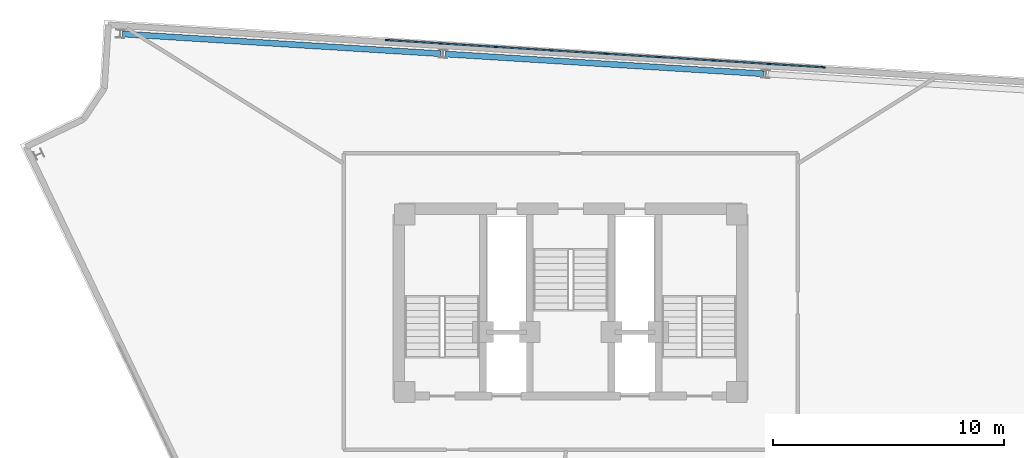
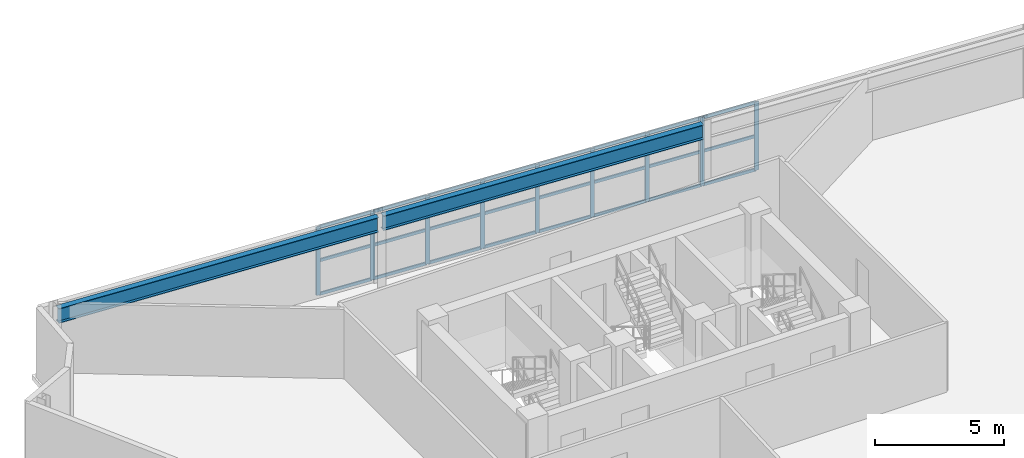
# One storey, part 5 of 8: 33 members, 2 beams, 1 element without a shape of its own.
"""IFC4 building model written with IfcOpenShell, lengths in metres."""

from ifc_helpers import new_model, si_unit, direction, frame, origin, origin_2d, place, context, subcontext, project, spatial, rectangle, i_section, extrude, material, layer, layer_set, material_profile, profile_set, type_object, element, aggregate, save


model = new_model("IFC4")

# Units and contexts
model_context = context("Model", 3, precision=1e-05, world=origin(), true_north=direction((0.0, 1.0)))
body_context = subcontext(model_context, "Body", "Model", "MODEL_VIEW")
ifc_project = project(units=[si_unit("LENGTHUNIT", "METRE"), si_unit("AREAUNIT", "SQUARE_METRE"), si_unit("VOLUMEUNIT", "CUBIC_METRE"), si_unit("PLANEANGLEUNIT", "RADIAN"), si_unit("MASSUNIT", "GRAM", prefix="KILO")], contexts=[model_context])

# Site, building, storey
site_placement = place(None, origin())
site = spatial("IfcSite", under=ifc_project, at=site_placement, CompositionType="ELEMENT")
building_placement = place(site_placement, origin())
building = spatial("IfcBuilding", under=site, at=building_placement, Name="Apsidion Concourse Tower", CompositionType="ELEMENT")
storey_placement = place(building_placement, frame((0.0, 0.0, 336.0)))
storey = spatial("IfcBuildingStorey", under=building, at=storey_placement, Name="L79", CompositionType="ELEMENT", Elevation=336.0)

# Beams
ifc_material_1 = material(Name="Structural steel ASTM A992 Grade 50", Category="steel")
ifc_material_profile_1 = material_profile(ifc_material_1, i_section(OverallWidth=0.256103515625, OverallDepth=0.693115234375, WebThickness=0.014404296875, FlangeThickness=0.023681640625, at=origin_2d()), Name="W27X114")
ifc_profile_set_1 = profile_set([ifc_material_profile_1], Name="Structural steel ASTM A992 Grade 50")
beam_type = type_object("IfcBeamType", Name="BM-SP-W27", PredefinedType="SPANDREL", material=ifc_profile_set_1)
for number, where, z_axis, x_axis, name in (
    (1, (8.36962890625, 15.254638671875, 2.93359375), (-0.998076537228, 0.061993756414, 0.0), (-0.061993756414, -0.998076537228, 0.0), "L79 Crown Perimeter Spandrel Beam CSP-04"),
    (2, (-5.637939453125, 16.12451171875, 2.93359375), (-0.998076537228, 0.061993756414, 0.0), (-0.061993756414, -0.998076537228, 0.0), "L79 Crown Perimeter Spandrel Beam CSP-05"),
):
    element("IfcBeam", number, at=place(storey_placement, frame(where, z_axis=z_axis, x_axis=x_axis)), inside=storey, type_object=beam_type, Name=name, PredefinedType="SPANDREL", context=body_context, shape_type="SweptSolid", body=[
        extrude(i_section(OverallWidth=0.256103515625, OverallDepth=0.693115234375, WebThickness=0.014404296875, FlangeThickness=0.023681640625, at=origin_2d()), origin(), (0.0, 0.0, 1.0), 13.834716796875),
    ])

# Curtain wall, members
ifc_material_2 = material(Name="Insulated laminated low-E glass", Category="glass")
ifc_layer = layer(ifc_material_2, 0.239990234375)
ifc_layer_set = layer_set([ifc_layer], Name="Insulated laminated low-E glass")
curtain_wall_type = type_object("IfcCurtainWallType", Name="CW-SYS-06", PredefinedType="NOTDEFINED", material=ifc_layer_set)
curtain_wall_placement = place(storey_placement, origin())
curtain_wall = element("IfcCurtainWall", 3, at=curtain_wall_placement, inside=storey, type_object=curtain_wall_type, Name="L79 Slanted Crown Curtain Wall 4", PredefinedType="NOTDEFINED")
ifc_material_3 = material(Name="Anodised aluminium EN AW-6063 T6", Category="aluminium")
ifc_material_profile_2 = material_profile(ifc_material_3, rectangle(XDim=0.06494140625, YDim=0.179931640625, at=origin_2d()), Name="ALU MULLION 65x180")
ifc_profile_set_2 = profile_set([ifc_material_profile_2], Name="Anodised aluminium EN AW-6063 T6")
member_type_1 = type_object("IfcMemberType", Name="CWM-65X180", PredefinedType="MULLION", material=ifc_profile_set_2)
member_1_placement = place(storey_placement, frame((-7.951171875, 16.716552734375, 0.0), z_axis=(0.0, 0.0, 1.0), x_axis=(0.062244591953, 0.998060925381, 0.0)))
member_1 = element("IfcMember", 4, at=member_1_placement, type_object=member_type_1, Name="CW-06 mullion 1", PredefinedType="MULLION", context=body_context, shape_type="SweptSolid", body=[
    extrude(rectangle(XDim=0.06494140625, YDim=0.179931640625, at=origin_2d()), origin(), (0.0, 0.0, 1.0), 3.22998046875),
])
member_2_placement = place(storey_placement, frame((-5.61328125, 16.57080078125, 0.0), z_axis=(0.0, 0.0, 1.0), x_axis=(0.062244591953, 0.998060925381, 0.0)))
member_2 = element("IfcMember", 5, at=member_2_placement, type_object=member_type_1, Name="CW-06 mullion 2", PredefinedType="MULLION", context=body_context, shape_type="SweptSolid", body=[
    extrude(rectangle(XDim=0.06494140625, YDim=0.179931640625, at=origin_2d()), origin(), (0.0, 0.0, 1.0), 3.22998046875),
])
member_3_placement = place(storey_placement, frame((-3.2431640625, 16.4228515625, 0.0), z_axis=(0.0, 0.0, 1.0), x_axis=(0.062244591953, 0.998060925381, 0.0)))
member_3 = element("IfcMember", 6, at=member_3_placement, type_object=member_type_1, Name="CW-06 mullion 3", PredefinedType="MULLION", context=body_context, shape_type="SweptSolid", body=[
    extrude(rectangle(XDim=0.06494140625, YDim=0.179931640625, at=origin_2d()), origin(), (0.0, 0.0, 1.0), 3.22998046875),
])
member_4_placement = place(storey_placement, frame((-0.872802734375, 16.275146484375, 0.0), z_axis=(0.0, 0.0, 1.0), x_axis=(0.062244591953, 0.998060925381, 0.0)))
member_4 = element("IfcMember", 7, at=member_4_placement, type_object=member_type_1, Name="CW-06 mullion 4", PredefinedType="MULLION", context=body_context, shape_type="SweptSolid", body=[
    extrude(rectangle(XDim=0.06494140625, YDim=0.179931640625, at=origin_2d()), origin(), (0.0, 0.0, 1.0), 3.22998046875),
])
member_5_placement = place(storey_placement, frame((1.49755859375, 16.127197265625, 0.0), z_axis=(0.0, 0.0, 1.0), x_axis=(0.062244591953, 0.998060925381, 0.0)))
member_5 = element("IfcMember", 8, at=member_5_placement, type_object=member_type_1, Name="CW-06 mullion 5", PredefinedType="MULLION", context=body_context, shape_type="SweptSolid", body=[
    extrude(rectangle(XDim=0.06494140625, YDim=0.179931640625, at=origin_2d()), origin(), (0.0, 0.0, 1.0), 3.22998046875),
])
member_6_placement = place(storey_placement, frame((3.867919921875, 15.9794921875, 0.0), z_axis=(0.0, 0.0, 1.0), x_axis=(0.062244591953, 0.998060925381, 0.0)))
member_6 = element("IfcMember", 9, at=member_6_placement, type_object=member_type_1, Name="CW-06 mullion 6", PredefinedType="MULLION", context=body_context, shape_type="SweptSolid", body=[
    extrude(rectangle(XDim=0.06494140625, YDim=0.179931640625, at=origin_2d()), origin(), (0.0, 0.0, 1.0), 3.22998046875),
])
member_7_placement = place(storey_placement, frame((6.238037109375, 15.83154296875, 0.0), z_axis=(0.0, 0.0, 1.0), x_axis=(0.062244591953, 0.998060925381, 0.0)))
member_7 = element("IfcMember", 10, at=member_7_placement, type_object=member_type_1, Name="CW-06 mullion 7", PredefinedType="MULLION", context=body_context, shape_type="SweptSolid", body=[
    extrude(rectangle(XDim=0.06494140625, YDim=0.179931640625, at=origin_2d()), origin(), (0.0, 0.0, 1.0), 3.22998046875),
])
member_8_placement = place(storey_placement, frame((8.6083984375, 15.683837890625, 0.0), z_axis=(0.0, 0.0, 1.0), x_axis=(0.062244591953, 0.998060925381, 0.0)))
member_8 = element("IfcMember", 11, at=member_8_placement, type_object=member_type_1, Name="CW-06 mullion 8", PredefinedType="MULLION", context=body_context, shape_type="SweptSolid", body=[
    extrude(rectangle(XDim=0.06494140625, YDim=0.179931640625, at=origin_2d()), origin(), (0.0, 0.0, 1.0), 3.22998046875),
])
member_9_placement = place(storey_placement, frame((10.9462890625, 15.5380859375, 0.0), z_axis=(0.0, 0.0, 1.0), x_axis=(0.062244591953, 0.998060925381, 0.0)))
member_9 = element("IfcMember", 12, at=member_9_placement, type_object=member_type_1, Name="CW-06 mullion 9", PredefinedType="MULLION", context=body_context, shape_type="SweptSolid", body=[
    extrude(rectangle(XDim=0.06494140625, YDim=0.179931640625, at=origin_2d()), origin(), (0.0, 0.0, 1.0), 3.22998046875),
])
ifc_material_profile_3 = material_profile(ifc_material_3, rectangle(XDim=0.06494140625, YDim=0.139892578125, at=origin_2d()), Name="ALU TRANSOM 65x140")
ifc_profile_set_3 = profile_set([ifc_material_profile_3], Name="Anodised aluminium EN AW-6063 T6")
member_type_2 = type_object("IfcMemberType", Name="CWT-65X140", PredefinedType="USERDEFINED", material=ifc_profile_set_3)
member_10_placement = place(storey_placement, frame((-7.9189453125, 16.714599609375, 0.032470703125), z_axis=(0.998058829769, -0.062278184953, 0.0), x_axis=(0.062278184953, 0.998058829769, 0.0)))
member_10 = element("IfcMember", 13, at=member_10_placement, type_object=member_type_2, Name="CW-06 transom 1.1", ObjectType="TRANSOM", PredefinedType="USERDEFINED", context=body_context, shape_type="SweptSolid", body=[
    extrude(rectangle(XDim=0.06494140625, YDim=0.139892578125, at=origin_2d()), origin(), (0.0, 0.0, 1.0), 2.277587890625),
])
member_11_placement = place(storey_placement, frame((-7.9189453125, 16.714599609375, 1.614990234375), z_axis=(0.998058829769, -0.062278184953, 0.0), x_axis=(0.062278184953, 0.998058829769, 0.0)))
member_11 = element("IfcMember", 14, at=member_11_placement, type_object=member_type_2, Name="CW-06 transom 1.2", ObjectType="TRANSOM", PredefinedType="USERDEFINED", context=body_context, shape_type="SweptSolid", body=[
    extrude(rectangle(XDim=0.06494140625, YDim=0.139892578125, at=origin_2d()), origin(), (0.0, 0.0, 1.0), 2.277587890625),
])
member_12_placement = place(storey_placement, frame((-7.9189453125, 16.714599609375, 3.197509765625), z_axis=(0.998058829769, -0.062278184953, 0.0), x_axis=(0.062278184953, 0.998058829769, 0.0)))
member_12 = element("IfcMember", 15, at=member_12_placement, type_object=member_type_2, Name="CW-06 transom 1.3", ObjectType="TRANSOM", PredefinedType="USERDEFINED", context=body_context, shape_type="SweptSolid", body=[
    extrude(rectangle(XDim=0.06494140625, YDim=0.139892578125, at=origin_2d()), origin(), (0.0, 0.0, 1.0), 2.277587890625),
])
member_13_placement = place(storey_placement, frame((-5.5810546875, 16.56884765625, 0.032470703125), z_axis=(0.998060384543, -0.062253263422, 0.0), x_axis=(0.062253263422, 0.998060384543, 0.0)))
member_13 = element("IfcMember", 16, at=member_13_placement, type_object=member_type_2, Name="CW-06 transom 2.1", ObjectType="TRANSOM", PredefinedType="USERDEFINED", context=body_context, shape_type="SweptSolid", body=[
    extrude(rectangle(XDim=0.06494140625, YDim=0.139892578125, at=origin_2d()), origin(), (0.0, 0.0, 1.0), 2.309814453125),
])
member_14_placement = place(storey_placement, frame((-5.5810546875, 16.56884765625, 1.614990234375), z_axis=(0.998060384543, -0.062253263422, 0.0), x_axis=(0.062253263422, 0.998060384543, 0.0)))
member_14 = element("IfcMember", 17, at=member_14_placement, type_object=member_type_2, Name="CW-06 transom 2.2", ObjectType="TRANSOM", PredefinedType="USERDEFINED", context=body_context, shape_type="SweptSolid", body=[
    extrude(rectangle(XDim=0.06494140625, YDim=0.139892578125, at=origin_2d()), origin(), (0.0, 0.0, 1.0), 2.309814453125),
])
member_15_placement = place(storey_placement, frame((-5.5810546875, 16.56884765625, 3.197509765625), z_axis=(0.998060384543, -0.062253263422, 0.0), x_axis=(0.062253263422, 0.998060384543, 0.0)))
member_15 = element("IfcMember", 18, at=member_15_placement, type_object=member_type_2, Name="CW-06 transom 2.3", ObjectType="TRANSOM", PredefinedType="USERDEFINED", context=body_context, shape_type="SweptSolid", body=[
    extrude(rectangle(XDim=0.06494140625, YDim=0.139892578125, at=origin_2d()), origin(), (0.0, 0.0, 1.0), 2.309814453125),
])
member_16_placement = place(storey_placement, frame((-3.210693359375, 16.4208984375, 0.032470703125), z_axis=(0.998060384543, -0.062253263422, 0.0), x_axis=(0.062253263422, 0.998060384543, 0.0)))
member_16 = element("IfcMember", 19, at=member_16_placement, type_object=member_type_2, Name="CW-06 transom 3.1", ObjectType="TRANSOM", PredefinedType="USERDEFINED", context=body_context, shape_type="SweptSolid", body=[
    extrude(rectangle(XDim=0.06494140625, YDim=0.139892578125, at=origin_2d()), origin(), (0.0, 0.0, 1.0), 2.309814453125),
])
member_17_placement = place(storey_placement, frame((-3.210693359375, 16.4208984375, 1.614990234375), z_axis=(0.998060384543, -0.062253263422, 0.0), x_axis=(0.062253263422, 0.998060384543, 0.0)))
member_17 = element("IfcMember", 20, at=member_17_placement, type_object=member_type_2, Name="CW-06 transom 3.2", ObjectType="TRANSOM", PredefinedType="USERDEFINED", context=body_context, shape_type="SweptSolid", body=[
    extrude(rectangle(XDim=0.06494140625, YDim=0.139892578125, at=origin_2d()), origin(), (0.0, 0.0, 1.0), 2.309814453125),
])
member_18_placement = place(storey_placement, frame((-3.210693359375, 16.4208984375, 3.197509765625), z_axis=(0.998060384543, -0.062253263422, 0.0), x_axis=(0.062253263422, 0.998060384543, 0.0)))
member_18 = element("IfcMember", 21, at=member_18_placement, type_object=member_type_2, Name="CW-06 transom 3.3", ObjectType="TRANSOM", PredefinedType="USERDEFINED", context=body_context, shape_type="SweptSolid", body=[
    extrude(rectangle(XDim=0.06494140625, YDim=0.139892578125, at=origin_2d()), origin(), (0.0, 0.0, 1.0), 2.309814453125),
])
member_19_placement = place(storey_placement, frame((-0.84033203125, 16.273193359375, 0.032470703125), z_axis=(0.998060384543, -0.062253263422, 0.0), x_axis=(0.062253263422, 0.998060384543, 0.0)))
member_19 = element("IfcMember", 22, at=member_19_placement, type_object=member_type_2, Name="CW-06 transom 4.1", ObjectType="TRANSOM", PredefinedType="USERDEFINED", context=body_context, shape_type="SweptSolid", body=[
    extrude(rectangle(XDim=0.06494140625, YDim=0.139892578125, at=origin_2d()), origin(), (0.0, 0.0, 1.0), 2.309814453125),
])
member_20_placement = place(storey_placement, frame((-0.84033203125, 16.273193359375, 1.614990234375), z_axis=(0.998060384543, -0.062253263422, 0.0), x_axis=(0.062253263422, 0.998060384543, 0.0)))
member_20 = element("IfcMember", 23, at=member_20_placement, type_object=member_type_2, Name="CW-06 transom 4.2", ObjectType="TRANSOM", PredefinedType="USERDEFINED", context=body_context, shape_type="SweptSolid", body=[
    extrude(rectangle(XDim=0.06494140625, YDim=0.139892578125, at=origin_2d()), origin(), (0.0, 0.0, 1.0), 2.309814453125),
])
member_21_placement = place(storey_placement, frame((-0.84033203125, 16.273193359375, 3.197509765625), z_axis=(0.998060384543, -0.062253263422, 0.0), x_axis=(0.062253263422, 0.998060384543, 0.0)))
member_21 = element("IfcMember", 24, at=member_21_placement, type_object=member_type_2, Name="CW-06 transom 4.3", ObjectType="TRANSOM", PredefinedType="USERDEFINED", context=body_context, shape_type="SweptSolid", body=[
    extrude(rectangle(XDim=0.06494140625, YDim=0.139892578125, at=origin_2d()), origin(), (0.0, 0.0, 1.0), 2.309814453125),
])
member_22_placement = place(storey_placement, frame((1.530029296875, 16.125244140625, 0.032470703125), z_axis=(0.998060384543, -0.062253263422, 0.0), x_axis=(0.062253263422, 0.998060384543, 0.0)))
member_22 = element("IfcMember", 25, at=member_22_placement, type_object=member_type_2, Name="CW-06 transom 5.1", ObjectType="TRANSOM", PredefinedType="USERDEFINED", context=body_context, shape_type="SweptSolid", body=[
    extrude(rectangle(XDim=0.06494140625, YDim=0.139892578125, at=origin_2d()), origin(), (0.0, 0.0, 1.0), 2.309814453125),
])
member_23_placement = place(storey_placement, frame((1.530029296875, 16.125244140625, 1.614990234375), z_axis=(0.998060384543, -0.062253263422, 0.0), x_axis=(0.062253263422, 0.998060384543, 0.0)))
member_23 = element("IfcMember", 26, at=member_23_placement, type_object=member_type_2, Name="CW-06 transom 5.2", ObjectType="TRANSOM", PredefinedType="USERDEFINED", context=body_context, shape_type="SweptSolid", body=[
    extrude(rectangle(XDim=0.06494140625, YDim=0.139892578125, at=origin_2d()), origin(), (0.0, 0.0, 1.0), 2.309814453125),
])
member_24_placement = place(storey_placement, frame((1.530029296875, 16.125244140625, 3.197509765625), z_axis=(0.998060384543, -0.062253263422, 0.0), x_axis=(0.062253263422, 0.998060384543, 0.0)))
member_24 = element("IfcMember", 27, at=member_24_placement, type_object=member_type_2, Name="CW-06 transom 5.3", ObjectType="TRANSOM", PredefinedType="USERDEFINED", context=body_context, shape_type="SweptSolid", body=[
    extrude(rectangle(XDim=0.06494140625, YDim=0.139892578125, at=origin_2d()), origin(), (0.0, 0.0, 1.0), 2.309814453125),
])
member_25_placement = place(storey_placement, frame((3.900146484375, 15.9775390625, 0.032470703125), z_axis=(0.998060384543, -0.062253263422, 0.0), x_axis=(0.062253263422, 0.998060384543, 0.0)))
member_25 = element("IfcMember", 28, at=member_25_placement, type_object=member_type_2, Name="CW-06 transom 6.1", ObjectType="TRANSOM", PredefinedType="USERDEFINED", context=body_context, shape_type="SweptSolid", body=[
    extrude(rectangle(XDim=0.06494140625, YDim=0.139892578125, at=origin_2d()), origin(), (0.0, 0.0, 1.0), 2.309814453125),
])
member_26_placement = place(storey_placement, frame((3.900146484375, 15.9775390625, 1.614990234375), z_axis=(0.998060384543, -0.062253263422, 0.0), x_axis=(0.062253263422, 0.998060384543, 0.0)))
member_26 = element("IfcMember", 29, at=member_26_placement, type_object=member_type_2, Name="CW-06 transom 6.2", ObjectType="TRANSOM", PredefinedType="USERDEFINED", context=body_context, shape_type="SweptSolid", body=[
    extrude(rectangle(XDim=0.06494140625, YDim=0.139892578125, at=origin_2d()), origin(), (0.0, 0.0, 1.0), 2.309814453125),
])
member_27_placement = place(storey_placement, frame((3.900146484375, 15.9775390625, 3.197509765625), z_axis=(0.998060384543, -0.062253263422, 0.0), x_axis=(0.062253263422, 0.998060384543, 0.0)))
member_27 = element("IfcMember", 30, at=member_27_placement, type_object=member_type_2, Name="CW-06 transom 6.3", ObjectType="TRANSOM", PredefinedType="USERDEFINED", context=body_context, shape_type="SweptSolid", body=[
    extrude(rectangle(XDim=0.06494140625, YDim=0.139892578125, at=origin_2d()), origin(), (0.0, 0.0, 1.0), 2.309814453125),
])
member_28_placement = place(storey_placement, frame((6.2705078125, 15.82958984375, 0.032470703125), z_axis=(0.998060384543, -0.062253263422, 0.0), x_axis=(0.062253263422, 0.998060384543, 0.0)))
member_28 = element("IfcMember", 31, at=member_28_placement, type_object=member_type_2, Name="CW-06 transom 7.1", ObjectType="TRANSOM", PredefinedType="USERDEFINED", context=body_context, shape_type="SweptSolid", body=[
    extrude(rectangle(XDim=0.06494140625, YDim=0.139892578125, at=origin_2d()), origin(), (0.0, 0.0, 1.0), 2.309814453125),
])
member_29_placement = place(storey_placement, frame((6.2705078125, 15.82958984375, 1.614990234375), z_axis=(0.998060384543, -0.062253263422, 0.0), x_axis=(0.062253263422, 0.998060384543, 0.0)))
member_29 = element("IfcMember", 32, at=member_29_placement, type_object=member_type_2, Name="CW-06 transom 7.2", ObjectType="TRANSOM", PredefinedType="USERDEFINED", context=body_context, shape_type="SweptSolid", body=[
    extrude(rectangle(XDim=0.06494140625, YDim=0.139892578125, at=origin_2d()), origin(), (0.0, 0.0, 1.0), 2.309814453125),
])
member_30_placement = place(storey_placement, frame((6.2705078125, 15.82958984375, 3.197509765625), z_axis=(0.998060384543, -0.062253263422, 0.0), x_axis=(0.062253263422, 0.998060384543, 0.0)))
member_30 = element("IfcMember", 33, at=member_30_placement, type_object=member_type_2, Name="CW-06 transom 7.3", ObjectType="TRANSOM", PredefinedType="USERDEFINED", context=body_context, shape_type="SweptSolid", body=[
    extrude(rectangle(XDim=0.06494140625, YDim=0.139892578125, at=origin_2d()), origin(), (0.0, 0.0, 1.0), 2.309814453125),
])
member_31_placement = place(storey_placement, frame((8.640869140625, 15.681884765625, 0.032470703125), z_axis=(0.998058413952, -0.06228484839, 0.0), x_axis=(0.06228484839, 0.998058413952, 0.0)))
member_31 = element("IfcMember", 34, at=member_31_placement, type_object=member_type_2, Name="CW-06 transom 8.1", ObjectType="TRANSOM", PredefinedType="USERDEFINED", context=body_context, shape_type="SweptSolid", body=[
    extrude(rectangle(XDim=0.06494140625, YDim=0.139892578125, at=origin_2d()), origin(), (0.0, 0.0, 1.0), 2.27734375),
])
member_32_placement = place(storey_placement, frame((8.640869140625, 15.681884765625, 1.614990234375), z_axis=(0.998058413952, -0.06228484839, 0.0), x_axis=(0.06228484839, 0.998058413952, 0.0)))
member_32 = element("IfcMember", 35, at=member_32_placement, type_object=member_type_2, Name="CW-06 transom 8.2", ObjectType="TRANSOM", PredefinedType="USERDEFINED", context=body_context, shape_type="SweptSolid", body=[
    extrude(rectangle(XDim=0.06494140625, YDim=0.139892578125, at=origin_2d()), origin(), (0.0, 0.0, 1.0), 2.27734375),
])
member_33_placement = place(storey_placement, frame((8.640869140625, 15.681884765625, 3.197509765625), z_axis=(0.998058413952, -0.06228484839, 0.0), x_axis=(0.06228484839, 0.998058413952, 0.0)))
member_33 = element("IfcMember", 36, at=member_33_placement, type_object=member_type_2, Name="CW-06 transom 8.3", ObjectType="TRANSOM", PredefinedType="USERDEFINED", context=body_context, shape_type="SweptSolid", body=[
    extrude(rectangle(XDim=0.06494140625, YDim=0.139892578125, at=origin_2d()), origin(), (0.0, 0.0, 1.0), 2.27734375),
])
aggregate(curtain_wall, [member_1, member_2, member_3, member_4, member_5, member_6, member_7, member_8, member_9, member_10, member_11, member_12, member_13, member_14, member_15, member_16, member_17, member_18, member_19, member_20, member_21, member_22, member_23, member_24, member_25, member_26, member_27, member_28, member_29, member_30, member_31, member_32, member_33])

save(model, "model.ifc")
